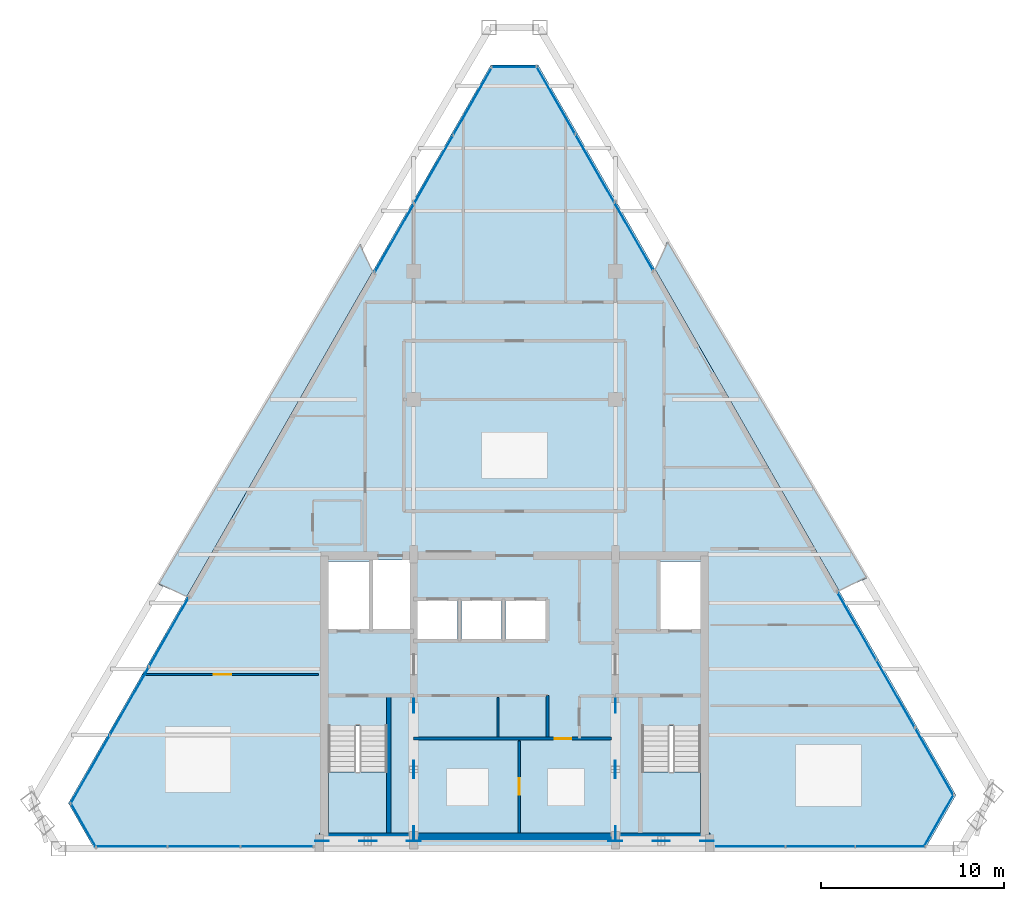
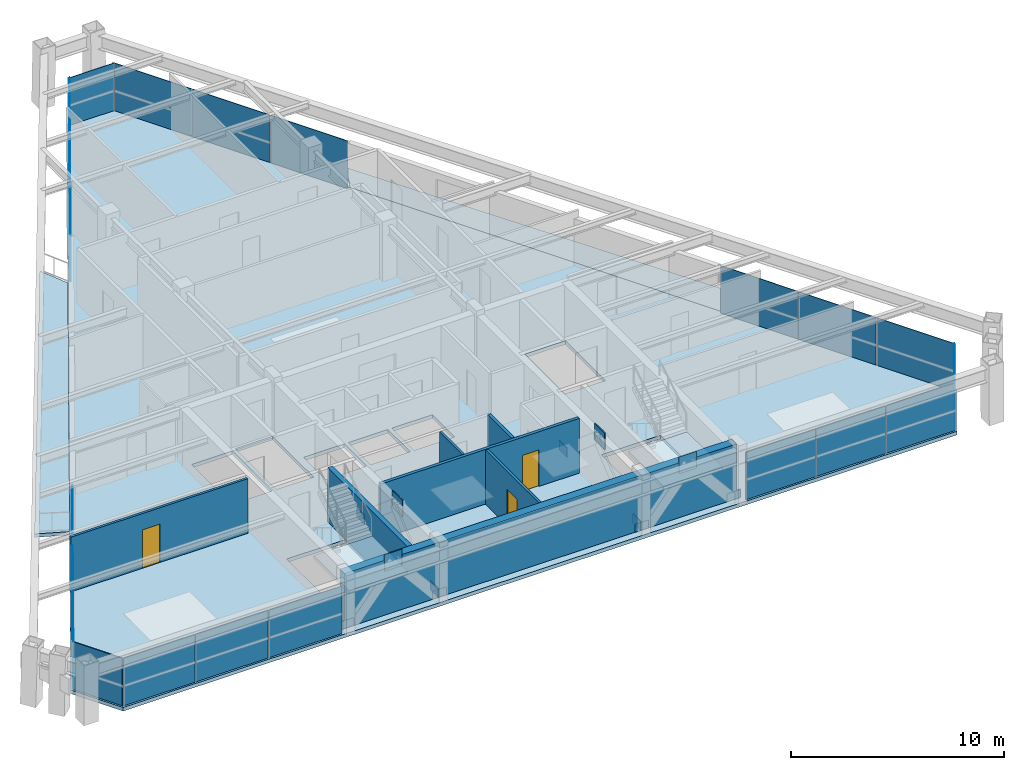
# One storey, part 8 of 13: 33 plates, 7 walls, 5 slabs, 3 doors, 3 openings, 11 elements without a shape of their own.
"""IFC4 building model written with IfcOpenShell, lengths in metres."""

from ifc_helpers import new_model, si_unit, direction, frame, frame_2d, origin, origin_2d, place, context, subcontext, project, spatial, polyline, rectangle, outline, extrude, source, transform, mapped, material, layer, layer_set, type_object, type_shapes, element, fill, aggregate, save


model = new_model("IFC4")

# Units and contexts
model_context = context("Model", 3, precision=1e-05, world=origin(), true_north=direction((0.0, 1.0)))
body_context = subcontext(model_context, "Body", "Model", "MODEL_VIEW")
ifc_project = project(units=[si_unit("LENGTHUNIT", "METRE"), si_unit("AREAUNIT", "SQUARE_METRE"), si_unit("VOLUMEUNIT", "CUBIC_METRE"), si_unit("PLANEANGLEUNIT", "RADIAN"), si_unit("MASSUNIT", "GRAM", prefix="KILO")], contexts=[model_context])

# Site, building, storey
site_placement = place(None, origin())
site = spatial("IfcSite", under=ifc_project, at=site_placement, CompositionType="ELEMENT")
building_placement = place(site_placement, origin())
building = spatial("IfcBuilding", under=site, at=building_placement, Name="Varnakhor Terracotta Tower", CompositionType="ELEMENT")
storey_placement = place(building_placement, frame((0.0, 0.0, 300.60009765625)))
storey = spatial("IfcBuildingStorey", under=building, at=storey_placement, Name="L79", CompositionType="ELEMENT", Elevation=300.60009765625)

# Slab
ifc_material_1 = material(Name="Concrete C40/50", Category="concrete")
ifc_layer_1 = layer(ifc_material_1, 0.2099609375, Name="Concrete C40/50")
ifc_layer_set_1 = layer_set([ifc_layer_1], Name="Concrete C40/50")
slab_type_1 = type_object("IfcSlabType", Name="SLB-HTL-210", PredefinedType="FLOOR", material=ifc_layer_set_1)
slab_1_placement = place(storey_placement, frame((0.0, 0.0, -0.210205078125)))
element("IfcSlab", 1, at=slab_1_placement, inside=storey, type_object=slab_type_1, Name="L79 Structural Floor Slab", PredefinedType="FLOOR", context=body_context, shape_type="SweptSolid", body=[
    extrude(outline(polyline([(-24.333740234375, 2.47509765625), (-1.28759765625, 42.75), (1.28759765625, 42.75), (24.076416015625, 2.925048828125), (22.402587890625, 0.0), (-22.91748046875, 0.0), (-24.333740234375, 2.47509765625)]), holes=[polyline([(-6.949951171875, 0.85009765625), (-6.949951171875, 6.695068359375), (-10.14990234375, 6.695068359375), (-10.14990234375, 0.85009765625), (-6.949951171875, 0.85009765625)]), polyline([(10.14990234375, 0.85009765625), (10.14990234375, 6.695068359375), (6.949951171875, 6.695068359375), (6.949951171875, 0.85009765625), (10.14990234375, 0.85009765625)]), polyline([(-3.10009765625, 11.419921875), (-3.10009765625, 13.52001953125), (-5.300048828125, 13.52001953125), (-5.300048828125, 11.419921875), (-3.10009765625, 11.419921875)]), polyline([(-0.719970703125, 11.419921875), (-0.719970703125, 13.52001953125), (-2.8798828125, 13.52001953125), (-2.8798828125, 11.419921875), (-0.719970703125, 11.419921875)]), polyline([(1.699951171875, 11.419921875), (1.699951171875, 13.52001953125), (-0.5, 13.52001953125), (-0.5, 11.419921875), (1.699951171875, 11.419921875)]), polyline([(-7.949951171875, 11.8798828125), (-7.949951171875, 15.64990234375), (-10.14990234375, 15.64990234375), (-10.14990234375, 11.8798828125), (-7.949951171875, 11.8798828125)]), polyline([(10.14990234375, 11.8798828125), (10.14990234375, 15.64990234375), (7.949951171875, 15.64990234375), (7.949951171875, 11.8798828125), (10.14990234375, 11.8798828125)]), polyline([(-5.699951171875, 11.8798828125), (-5.699951171875, 15.75), (-7.72998046875, 15.75), (-7.72998046875, 11.8798828125), (-5.699951171875, 11.8798828125)])]), origin(), (0.0, 0.0, 1.0), 0.210205078125),
])

# Stair, slab
stair_type = type_object("IfcStairType", Name="STR-CORE-HOTEL-1500", PredefinedType="HALF_TURN_STAIR", material=ifc_material_1)
stair_1_placement = place(storey_placement, origin())
stair_1 = element("IfcStair", 2, at=stair_1_placement, inside=storey, type_object=stair_type, Name="L79 Core Exit Stair ST-1", PredefinedType="HALF_TURN_STAIR")
ifc_layer_2 = layer(ifc_material_1, 0.179931640625, Name="Concrete C40/50")
ifc_layer_set_2 = layer_set([ifc_layer_2], Name="Concrete C40/50")
slab_type_2 = type_object("IfcSlabType", Name="SLB-LANDING-180", PredefinedType="LANDING", material=ifc_layer_set_2)
slab_2_placement = place(storey_placement, frame((0.0, 0.0, 1.52490234375)))
slab_2 = element("IfcSlab", 3, at=slab_2_placement, type_object=slab_type_2, Name="ST-1 landing 1", PredefinedType="LANDING", context=body_context, shape_type="SweptSolid", body=[
    extrude(outline(polyline([(-10.14990234375, 4.18994140625), (-10.14990234375, 0.85009765625), (-6.949951171875, 0.85009765625), (-6.949951171875, 4.18994140625), (-10.14990234375, 4.18994140625)])), origin(), (0.0, 0.0, 1.0), 0.199951171875),
])
aggregate(stair_1, [slab_2])

stair_2_placement = place(storey_placement, origin())
stair_2 = element("IfcStair", 4, at=stair_2_placement, inside=storey, type_object=stair_type, Name="L79 Core Exit Stair ST-2", PredefinedType="HALF_TURN_STAIR")
slab_3_placement = place(storey_placement, frame((0.0, 0.0, 1.52490234375)))
slab_3 = element("IfcSlab", 5, at=slab_3_placement, type_object=slab_type_2, Name="ST-2 landing 1", PredefinedType="LANDING", context=body_context, shape_type="SweptSolid", body=[
    extrude(outline(polyline([(6.949951171875, 4.18994140625), (6.949951171875, 0.85009765625), (10.14990234375, 0.85009765625), (10.14990234375, 4.18994140625), (6.949951171875, 4.18994140625)])), origin(), (0.0, 0.0, 1.0), 0.199951171875),
])
aggregate(stair_2, [slab_3])

# Slabs
ifc_layer_3 = layer(ifc_material_1, 0.195068359375, Name="Concrete C40/50")
ifc_layer_set_3 = layer_set([ifc_layer_3], Name="Concrete C40/50")
slab_type_3 = type_object("IfcSlabType", Name="SLB-LOGGIA-EXT-195", PredefinedType="FLOOR", material=ifc_layer_set_3)
slab_4_placement = place(storey_placement, frame((0.0, 0.0, -0.195068359375)))
element("IfcSlab", 6, at=slab_4_placement, inside=storey, type_object=slab_type_3, Name="L79 E Recessed Outdoor Loggia Slab", PredefinedType="FLOOR", context=body_context, shape_type="SweptSolid", body=[
    extrude(outline(polyline([(8.323486328125, 33.108642578125), (19.207275390625, 14.74853515625), (17.6953125, 14.075927734375), (13.025634765625, 22.23681640625), (7.66845703125, 31.59912109375), (8.323486328125, 33.108642578125)])), origin(), (0.0, 0.0, 1.0), 0.195068359375),
])
slab_5_placement = place(storey_placement, frame((0.0, 0.0, -0.195068359375)))
element("IfcSlab", 7, at=slab_5_placement, inside=storey, type_object=slab_type_3, Name="L79 W Recessed Outdoor Loggia Slab", PredefinedType="FLOOR", context=body_context, shape_type="SweptSolid", body=[
    extrude(outline(polyline([(-19.408447265625, 14.408935546875), (-8.40185546875, 32.976806640625), (-7.740478515625, 31.472900390625), (-14.449462890625, 19.748779296875), (-17.880859375, 13.751953125), (-19.408447265625, 14.408935546875)])), origin(), (0.0, 0.0, 1.0), 0.195068359375),
])

# Plates
ifc_material_2 = material(Name="Steel S460", Category="steel")
ifc_layer_4 = layer(ifc_material_2, 0.050048828125, Name="Steel S460")
ifc_layer_set_4 = layer_set([ifc_layer_4], Name="Steel S460")
plate_type_1 = type_object("IfcPlateType", Name="PLT-GUSSET-50", PredefinedType="USERDEFINED", material=ifc_layer_set_4)
shared_shape_1 = source(origin(), body_context, "Body", "SweptSolid", [
    extrude(rectangle(XDim=0.75, YDim=0.0400390625, at=origin_2d()), origin(), (0.0, 0.0, 1.0), 0.550048828125),
])
type_shapes(plate_type_1, [shared_shape_1])
for number, where, z_axis, x_axis, name in (
    (8, (-10.5, 0.419921875, -0.09521484375), (0.0, 0.0, 1.0), (1.0, 0.0, 0.0), "L79 Core Brace Embed Plate CSWA"),
    (9, (-5.5, 0.419921875, -0.09521484375), (0.0, 0.0, 1.0), (1.0, 0.0, 0.0), "L79 Core Brace Embed Plate CSWB"),
    (10, (5.5, 0.419921875, -0.09521484375), (0.0, 0.0, 1.0), (1.0, 0.0, 0.0), "L79 Core Brace Embed Plate CSEA"),
    (11, (10.5, 0.419921875, -0.09521484375), (0.0, 0.0, 1.0), (1.0, 0.0, 0.0), "L79 Core Brace Embed Plate CSEB"),
    (12, (-5.5, 0.85009765625, -0.09521484375), (0.0, 0.0, 1.0), (0.0, 1.0, 0.0), "L79 Core Brace Embed Plate CWWA"),
    (13, (-5.5, 7.800048828125, -0.09521484375), (0.0, 0.0, 1.0), (0.0, 1.0, 0.0), "L79 Core Brace Embed Plate CWWB"),
    (14, (5.5, 0.85009765625, -0.09521484375), (0.0, 0.0, 1.0), (0.0, 1.0, 0.0), "L79 Core Brace Embed Plate CWEA"),
    (15, (5.5, 7.800048828125, -0.09521484375), (0.0, 0.0, 1.0), (0.0, 1.0, 0.0), "L79 Core Brace Embed Plate CWEB"),
):
    element("IfcPlate", number, at=place(storey_placement, frame(where, z_axis=z_axis, x_axis=x_axis)), inside=storey, type_object=plate_type_1, Name=name, ObjectType="GUSSET PLATE", PredefinedType="USERDEFINED", context=body_context, shape_type="MappedRepresentation", body=[
        mapped(shared_shape_1, transform((0.0, 0.0, 0.0), scale=1.0)),
    ])
shared_shape_2 = source(origin(), body_context, "Body", "SweptSolid", [
    extrude(rectangle(XDim=0.949951171875, YDim=0.044921875, at=origin_2d()), origin(), (0.0, 0.0, 1.0), 0.949951171875),
])
for number, where, z_axis, x_axis, name in (
    (16, (-8.0, 0.419921875, 2.52490234375), (0.0, 0.0, 1.0), (1.0, 0.0, 0.0), "L79 Core Brace Apex Gusset CSW"),
    (17, (8.0, 0.419921875, 2.52490234375), (0.0, 0.0, 1.0), (1.0, 0.0, 0.0), "L79 Core Brace Apex Gusset CSE"),
    (18, (-5.5, 4.324951171875, 2.52490234375), (0.0, 0.0, 1.0), (0.0, 1.0, 0.0), "L79 Core Brace Apex Gusset CWW"),
    (19, (5.5, 4.324951171875, 2.52490234375), (0.0, 0.0, 1.0), (0.0, 1.0, 0.0), "L79 Core Brace Apex Gusset CWE"),
):
    element("IfcPlate", number, at=place(storey_placement, frame(where, z_axis=z_axis, x_axis=x_axis)), inside=storey, type_object=plate_type_1, Name=name, ObjectType="GUSSET PLATE", PredefinedType="USERDEFINED", context=body_context, shape_type="MappedRepresentation", body=[
        mapped(shared_shape_2, transform((0.0, 0.0, 0.0), scale=1.0)),
    ])

# Curtain wall, plates
ifc_material_3 = material(Name="Anodised Aluminium Curtain Wall System", Category="aluminium")
curtain_wall_type = type_object("IfcCurtainWallType", Name="CW-SYS-HOTEL-LOGGIA", PredefinedType="NOTDEFINED", material=ifc_material_3)
curtain_wall_1_placement = place(storey_placement, origin())
curtain_wall_1 = element("IfcCurtainWall", 20, at=curtain_wall_1_placement, inside=storey, type_object=curtain_wall_type, Name="L79 W Facet Curtain Wall 1", PredefinedType="NOTDEFINED")
ifc_material_4 = material(Name="Solar-Control Low-E Insulated Glass Panel", Category="glass")
ifc_layer_5 = layer(ifc_material_4, 0.033935546875, Name="Solar-Control Low-E Insulated Glass Panel")
ifc_layer_set_5 = layer_set([ifc_layer_5], Name="Solar-Control Low-E Insulated Glass Panel")
plate_type_2 = type_object("IfcPlateType", Name="CWP-04", PredefinedType="CURTAIN_PANEL", material=ifc_layer_set_5)
shared_shape_3 = source(origin(), body_context, "Body", "SweptSolid", [
    extrude(rectangle(XDim=4.27099609375, YDim=0.035888671875, at=origin_2d()), origin(), (0.0, 0.0, 1.0), 2.72998046875),
])
plate_1_placement = place(storey_placement, frame((-23.144287109375, 4.312255859375, 0.0), z_axis=(0.0, 0.0, 1.0), x_axis=(0.496655875004, 0.867947545549, 0.0)))
plate_1 = element("IfcPlate", 21, at=plate_1_placement, type_object=plate_type_2, Name="L79 W Facet Curtain Wall 1 Glazed Panel 1", PredefinedType="CURTAIN_PANEL", context=body_context, shape_type="MappedRepresentation", body=[
    mapped(shared_shape_3, transform((0.0, 0.0, 0.0), scale=1.0)),
])
plate_2_placement = place(storey_placement, frame((-21.003173828125, 8.053955078125, 0.0), z_axis=(0.0, 0.0, 1.0), x_axis=(0.496655875004, 0.867947545549, 0.0)))
plate_2 = element("IfcPlate", 22, at=plate_2_placement, type_object=plate_type_2, Name="L79 W Facet Curtain Wall 1 Glazed Panel 2", PredefinedType="CURTAIN_PANEL", context=body_context, shape_type="MappedRepresentation", body=[
    mapped(shared_shape_3, transform((0.0, 0.0, 0.0), scale=1.0)),
])
plate_3_placement = place(storey_placement, frame((-18.862060546875, 11.79541015625, 0.0), z_axis=(0.0, 0.0, 1.0), x_axis=(0.496655875004, 0.867947545549, 0.0)))
plate_3 = element("IfcPlate", 23, at=plate_3_placement, type_object=plate_type_2, Name="L79 W Facet Curtain Wall 1 Glazed Panel 3", PredefinedType="CURTAIN_PANEL", context=body_context, shape_type="MappedRepresentation", body=[
    mapped(shared_shape_3, transform((0.0, 0.0, 0.0), scale=1.0)),
])
aggregate(curtain_wall_1, [plate_1, plate_2, plate_3])

curtain_wall_2_placement = place(storey_placement, origin())
curtain_wall_2 = element("IfcCurtainWall", 24, at=curtain_wall_2_placement, inside=storey, type_object=curtain_wall_type, Name="L79 W Facet Curtain Wall 2", PredefinedType="NOTDEFINED")
plate_4_placement = place(storey_placement, frame((-6.55078125, 33.310302734375, 0.0), z_axis=(0.0, 0.0, 1.0), x_axis=(0.496655875004, 0.867947545549, 0.0)))
plate_4 = element("IfcPlate", 25, at=plate_4_placement, type_object=plate_type_2, Name="L79 W Facet Curtain Wall 2 Glazed Panel 1", PredefinedType="CURTAIN_PANEL", context=body_context, shape_type="MappedRepresentation", body=[
    mapped(shared_shape_3, transform((0.0, 0.0, 0.0), scale=1.0)),
])
plate_5_placement = place(storey_placement, frame((-4.409912109375, 37.052001953125, 0.0), z_axis=(0.0, 0.0, 1.0), x_axis=(0.496655875004, 0.867947545549, 0.0)))
plate_5 = element("IfcPlate", 26, at=plate_5_placement, type_object=plate_type_2, Name="L79 W Facet Curtain Wall 2 Glazed Panel 2", PredefinedType="CURTAIN_PANEL", context=body_context, shape_type="MappedRepresentation", body=[
    mapped(shared_shape_3, transform((0.0, 0.0, 0.0), scale=1.0)),
])
plate_6_placement = place(storey_placement, frame((-2.268798828125, 40.79345703125, 0.0), z_axis=(0.0, 0.0, 1.0), x_axis=(0.496655875004, 0.867947545549, 0.0)))
plate_6 = element("IfcPlate", 27, at=plate_6_placement, type_object=plate_type_2, Name="L79 W Facet Curtain Wall 2 Glazed Panel 3", PredefinedType="CURTAIN_PANEL", context=body_context, shape_type="MappedRepresentation", body=[
    mapped(shared_shape_3, transform((0.0, 0.0, 0.0), scale=1.0)),
])
aggregate(curtain_wall_2, [plate_4, plate_5, plate_6])

# Curtain wall, plate
curtain_wall_3_placement = place(storey_placement, origin())
curtain_wall_3 = element("IfcCurtainWall", 28, at=curtain_wall_3_placement, inside=storey, type_object=curtain_wall_type, Name="L79 Facet Curtain Wall 2", PredefinedType="NOTDEFINED")
shared_shape_4 = source(origin(), body_context, "Body", "SweptSolid", [
    extrude(rectangle(XDim=2.47509765625, YDim=0.035888671875, at=origin_2d()), origin(), (0.0, 0.0, 1.0), 2.72998046875),
])
plate_7_placement = place(storey_placement, frame((0.0, 42.6298828125, 0.0), z_axis=(0.0, 0.0, 1.0), x_axis=(1.0, 0.0, 0.0)))
plate_7 = element("IfcPlate", 29, at=plate_7_placement, type_object=plate_type_2, Name="L79 Facet Curtain Wall 2 Glazed Panel 1", PredefinedType="CURTAIN_PANEL", context=body_context, shape_type="MappedRepresentation", body=[
    mapped(shared_shape_4, transform((0.0, 0.0, 0.0), scale=1.0)),
])
aggregate(curtain_wall_3, [plate_7])

# Curtain wall, plates
curtain_wall_4_placement = place(storey_placement, origin())
curtain_wall_4 = element("IfcCurtainWall", 30, at=curtain_wall_4_placement, inside=storey, type_object=curtain_wall_type, Name="L79 E Facet Curtain Wall 1", PredefinedType="NOTDEFINED")
shared_shape_5 = source(origin(), body_context, "Body", "SweptSolid", [
    extrude(rectangle(XDim=4.22265625, YDim=0.035888671875, at=origin_2d()), origin(), (0.0, 0.0, 1.0), 2.72998046875),
])
plate_8_placement = place(storey_placement, frame((2.2568359375, 40.814453125, 0.0), z_axis=(0.0, 0.0, 1.0), x_axis=(0.496655875004, -0.867947545549, 0.0)))
plate_8 = element("IfcPlate", 31, at=plate_8_placement, type_object=plate_type_2, Name="L79 E Facet Curtain Wall 1 Glazed Panel 1", PredefinedType="CURTAIN_PANEL", context=body_context, shape_type="MappedRepresentation", body=[
    mapped(shared_shape_5, transform((0.0, 0.0, 0.0), scale=1.0)),
])
plate_9_placement = place(storey_placement, frame((6.49072265625, 33.415283203125, 0.0), z_axis=(0.0, 0.0, 1.0), x_axis=(0.496655875004, -0.867947545549, 0.0)))
plate_9 = element("IfcPlate", 32, at=plate_9_placement, type_object=plate_type_2, Name="L79 E Facet Curtain Wall 1 Glazed Panel 3", PredefinedType="CURTAIN_PANEL", context=body_context, shape_type="MappedRepresentation", body=[
    mapped(shared_shape_5, transform((0.0, 0.0, 0.0), scale=1.0)),
])

curtain_wall_5_placement = place(storey_placement, origin())
curtain_wall_5 = element("IfcCurtainWall", 33, at=curtain_wall_5_placement, inside=storey, type_object=curtain_wall_type, Name="L79 E Facet Curtain Wall 2", PredefinedType="NOTDEFINED")
plate_10_placement = place(storey_placement, frame((18.664794921875, 12.140380859375, 0.0), z_axis=(0.0, 0.0, 1.0), x_axis=(0.496655875004, -0.867947545549, 0.0)))
plate_10 = element("IfcPlate", 34, at=plate_10_placement, type_object=plate_type_2, Name="L79 E Facet Curtain Wall 2 Glazed Panel 1", PredefinedType="CURTAIN_PANEL", context=body_context, shape_type="MappedRepresentation", body=[
    mapped(shared_shape_5, transform((0.0, 0.0, 0.0), scale=1.0)),
])
plate_11_placement = place(storey_placement, frame((22.898681640625, 4.7412109375, 0.0), z_axis=(0.0, 0.0, 1.0), x_axis=(0.496655875004, -0.867947545549, 0.0)))
plate_11 = element("IfcPlate", 35, at=plate_11_placement, type_object=plate_type_2, Name="L79 E Facet Curtain Wall 2 Glazed Panel 3", PredefinedType="CURTAIN_PANEL", context=body_context, shape_type="MappedRepresentation", body=[
    mapped(shared_shape_5, transform((0.0, 0.0, 0.0), scale=1.0)),
])

# Plate
shared_shape_6 = source(origin(), body_context, "Body", "SweptSolid", [
    extrude(rectangle(XDim=4.222412109375, YDim=0.035888671875, at=origin_2d()), origin(), (0.0, 0.0, 1.0), 2.72998046875),
])
plate_12_placement = place(storey_placement, frame((4.373779296875, 37.114990234375, 0.0), z_axis=(0.0, 0.0, 1.0), x_axis=(0.496655875004, -0.867947545549, 0.0)))
plate_12 = element("IfcPlate", 36, at=plate_12_placement, type_object=plate_type_2, Name="L79 E Facet Curtain Wall 1 Glazed Panel 2", PredefinedType="CURTAIN_PANEL", context=body_context, shape_type="MappedRepresentation", body=[
    mapped(shared_shape_6, transform((0.0, 0.0, 0.0), scale=1.0)),
])

aggregate(curtain_wall_4, [plate_8, plate_12, plate_9])

plate_13_placement = place(storey_placement, frame((20.78173828125, 8.44091796875, 0.0), z_axis=(0.0, 0.0, 1.0), x_axis=(0.496655875004, -0.867947545549, 0.0)))
plate_13 = element("IfcPlate", 37, at=plate_13_placement, type_object=plate_type_2, Name="L79 E Facet Curtain Wall 2 Glazed Panel 2", PredefinedType="CURTAIN_PANEL", context=body_context, shape_type="MappedRepresentation", body=[
    mapped(shared_shape_6, transform((0.0, 0.0, 0.0), scale=1.0)),
])

aggregate(curtain_wall_5, [plate_10, plate_13, plate_11])

# Curtain wall, plate
curtain_wall_6_placement = place(storey_placement, origin())
curtain_wall_6 = element("IfcCurtainWall", 38, at=curtain_wall_6_placement, inside=storey, type_object=curtain_wall_type, Name="L79 Facet Curtain Wall 4", PredefinedType="NOTDEFINED")
shared_shape_7 = source(origin(), body_context, "Body", "SweptSolid", [
    extrude(rectangle(XDim=3.27001953125, YDim=0.035888671875, at=origin_2d()), origin(), (0.0, 0.0, 1.0), 2.72998046875),
])
plate_14_placement = place(storey_placement, frame((23.13525390625, 1.522216796875, 0.0), z_axis=(0.0, 0.0, 1.0), x_axis=(-0.49667102347, -0.867938877136, 0.0)))
plate_14 = element("IfcPlate", 39, at=plate_14_placement, type_object=plate_type_2, Name="L79 Facet Curtain Wall 4 Glazed Panel 1", PredefinedType="CURTAIN_PANEL", context=body_context, shape_type="MappedRepresentation", body=[
    mapped(shared_shape_7, transform((0.0, 0.0, 0.0), scale=1.0)),
])
aggregate(curtain_wall_6, [plate_14])

# Curtain wall, plates
curtain_wall_7_placement = place(storey_placement, origin())
curtain_wall_7 = element("IfcCurtainWall", 40, at=curtain_wall_7_placement, inside=storey, type_object=curtain_wall_type, Name="L79 South Wing Curtain Wall SSE", PredefinedType="NOTDEFINED")
shared_shape_8 = source(origin(), body_context, "Body", "SweptSolid", [
    extrude(rectangle(XDim=3.767578125, YDim=0.035888671875, at=origin_2d()), origin(), (0.0, 0.0, 1.0), 2.72998046875),
])
plate_15_placement = place(storey_placement, frame((20.48876953125, 0.1201171875, 0.0), z_axis=(0.0, 0.0, 1.0), x_axis=(-1.0, 0.0, 0.0)))
plate_15 = element("IfcPlate", 41, at=plate_15_placement, type_object=plate_type_2, Name="L79 South Wing Curtain Wall SSE Glazed Panel 1", PredefinedType="CURTAIN_PANEL", context=body_context, shape_type="MappedRepresentation", body=[
    mapped(shared_shape_8, transform((0.0, 0.0, 0.0), scale=1.0)),
])
plate_16_placement = place(storey_placement, frame((16.68115234375, 0.1201171875, 0.0), z_axis=(0.0, 0.0, 1.0), x_axis=(-1.0, 0.0, 0.0)))
plate_16 = element("IfcPlate", 42, at=plate_16_placement, type_object=plate_type_2, Name="L79 South Wing Curtain Wall SSE Glazed Panel 2", PredefinedType="CURTAIN_PANEL", context=body_context, shape_type="MappedRepresentation", body=[
    mapped(shared_shape_8, transform((0.0, 0.0, 0.0), scale=1.0)),
])
plate_17_placement = place(storey_placement, frame((12.873779296875, 0.1201171875, 0.0), z_axis=(0.0, 0.0, 1.0), x_axis=(-1.0, 0.0, 0.0)))
plate_17 = element("IfcPlate", 43, at=plate_17_placement, type_object=plate_type_2, Name="L79 South Wing Curtain Wall SSE Glazed Panel 3", PredefinedType="CURTAIN_PANEL", context=body_context, shape_type="MappedRepresentation", body=[
    mapped(shared_shape_8, transform((0.0, 0.0, 0.0), scale=1.0)),
])
aggregate(curtain_wall_7, [plate_15, plate_16, plate_17])

curtain_wall_8_placement = place(storey_placement, origin())
curtain_wall_8 = element("IfcCurtainWall", 44, at=curtain_wall_8_placement, inside=storey, type_object=curtain_wall_type, Name="L79 South Wing Curtain Wall SSW", PredefinedType="NOTDEFINED")
shared_shape_9 = source(origin(), body_context, "Body", "SweptSolid", [
    extrude(rectangle(XDim=3.939208984375, YDim=0.035888671875, at=origin_2d()), origin(), (0.0, 0.0, 1.0), 2.72998046875),
])
plate_18_placement = place(storey_placement, frame((-12.959716796875, 0.1201171875, 0.0), z_axis=(0.0, 0.0, 1.0), x_axis=(-1.0, 0.0, 0.0)))
plate_18 = element("IfcPlate", 45, at=plate_18_placement, type_object=plate_type_2, Name="L79 South Wing Curtain Wall SSW Glazed Panel 1", PredefinedType="CURTAIN_PANEL", context=body_context, shape_type="MappedRepresentation", body=[
    mapped(shared_shape_9, transform((0.0, 0.0, 0.0), scale=1.0)),
])
plate_19_placement = place(storey_placement, frame((-16.938720703125, 0.1201171875, 0.0), z_axis=(0.0, 0.0, 1.0), x_axis=(-1.0, 0.0, 0.0)))
plate_19 = element("IfcPlate", 46, at=plate_19_placement, type_object=plate_type_2, Name="L79 South Wing Curtain Wall SSW Glazed Panel 2", PredefinedType="CURTAIN_PANEL", context=body_context, shape_type="MappedRepresentation", body=[
    mapped(shared_shape_9, transform((0.0, 0.0, 0.0), scale=1.0)),
])
plate_20_placement = place(storey_placement, frame((-20.91796875, 0.1201171875, 0.0), z_axis=(0.0, 0.0, 1.0), x_axis=(-1.0, 0.0, 0.0)))
plate_20 = element("IfcPlate", 47, at=plate_20_placement, type_object=plate_type_2, Name="L79 South Wing Curtain Wall SSW Glazed Panel 3", PredefinedType="CURTAIN_PANEL", context=body_context, shape_type="MappedRepresentation", body=[
    mapped(shared_shape_9, transform((0.0, 0.0, 0.0), scale=1.0)),
])
aggregate(curtain_wall_8, [plate_18, plate_19, plate_20])

# Curtain wall, plate
curtain_wall_9_placement = place(storey_placement, origin())
curtain_wall_9 = element("IfcCurtainWall", 48, at=curtain_wall_9_placement, inside=storey, type_object=curtain_wall_type, Name="L79 Facet Curtain Wall 6", PredefinedType="NOTDEFINED")
shared_shape_10 = source(origin(), body_context, "Body", "SweptSolid", [
    extrude(rectangle(XDim=2.751708984375, YDim=0.035888671875, at=origin_2d()), origin(), (0.0, 0.0, 1.0), 2.72998046875),
])
plate_21_placement = place(storey_placement, frame((-23.521484375, 1.297119140625, 0.0), z_axis=(0.0, 0.0, 1.0), x_axis=(-0.49667102347, 0.867938877136, 0.0)))
plate_21 = element("IfcPlate", 49, at=plate_21_placement, type_object=plate_type_2, Name="L79 Facet Curtain Wall 6 Glazed Panel 1", PredefinedType="CURTAIN_PANEL", context=body_context, shape_type="MappedRepresentation", body=[
    mapped(shared_shape_10, transform((0.0, 0.0, 0.0), scale=1.0)),
])
aggregate(curtain_wall_9, [plate_21])

# Wall
ifc_material_5 = material(Name="Concrete C50/60", Category="concrete")
ifc_layer_6 = layer(ifc_material_5, 0.449951171875, Name="Concrete C50/60")
ifc_layer_set_6 = layer_set([ifc_layer_6], Name="Concrete C50/60")
wall_type_1 = type_object("IfcWallType", Name="WAL-CORE-450", PredefinedType="SHEAR", material=ifc_layer_set_6)
wall_1_placement = place(storey_placement, frame((-10.64990234375, 0.625, 0.0), z_axis=(0.0, 0.0, 1.0), x_axis=(1.0, 0.0, 0.0)))
element("IfcWall", 50, at=wall_1_placement, inside=storey, type_object=wall_type_1, Name="L79 South Core Shear Wall", PredefinedType="SHEAR", context=body_context, shape_type="SweptSolid", body=[
    extrude(rectangle(XDim=21.2998046875, YDim=0.449951171875, at=frame_2d((10.64990234375, 0.0))), origin(), (0.0, 0.0, 1.0), 3.14990234375),
])

# Wall, opening, door
ifc_material_6 = material(Name="Acoustic Hotel Room Partition", Category="gypsum")
ifc_layer_7 = layer(ifc_material_6, 0.1298828125, Name="Acoustic Hotel Room Partition")
ifc_layer_set_7 = layer_set([ifc_layer_7], Name="Acoustic Hotel Room Partition")
wall_type_2 = type_object("IfcWallType", Name="WAL-PART-130", PredefinedType="PARTITIONING", material=ifc_layer_set_7)
wall_2_placement = place(storey_placement, frame((-20.302490234375, 9.5, 0.0), z_axis=(0.0, 0.0, 1.0), x_axis=(1.0, 0.0, 0.0)))
wall_2 = element("IfcWall", 51, at=wall_2_placement, inside=storey, type_object=wall_type_2, Name="L79 SW Key Split 1", PredefinedType="PARTITIONING", context=body_context, shape_type="SweptSolid", body=[
    extrude(rectangle(XDim=9.62255859375, YDim=0.1298828125, at=frame_2d((4.811279296875, 0.0))), origin(), (0.0, 0.0, 1.0), 3.141845703125),
])
opening_1_placement = place(wall_2_placement, frame((3.88916015625, 0.0, 0.0)))
opening_1 = element("IfcOpeningElement", 52, at=opening_1_placement, cuts=wall_2, Name="Opening DR-94", PredefinedType="OPENING", context=body_context, shape_type="SweptSolid", body=[
    extrude(rectangle(XDim=0.949951171875, YDim=2.199951171875, at=frame_2d((0.47509765625, 1.10009765625))), frame((0.0, 0.074951171875, 0.0), z_axis=(0.0, -1.0, 0.0), x_axis=(1.0, 0.0, 0.0)), (0.0, 0.0, 1.0), 0.14990234375),
])
ifc_material_7 = material(Name="Acoustic Glazed-Vision Timber Office Door", Category="wood")
door_type_1 = type_object("IfcDoorType", Name="DR-OFF-950X2200", OperationType="NOTDEFINED", PredefinedType="DOOR", material=ifc_material_7)
shared_shape_11 = source(origin(), body_context, "Body", "SweptSolid", [
    extrude(rectangle(XDim=0.949951171875, YDim=2.199951171875, at=frame_2d((0.47509765625, 1.10009765625))), frame((0.0, 0.02490234375, 0.0), z_axis=(0.0, -1.0, 0.0), x_axis=(1.0, 0.0, 0.0)), (0.0, 0.0, 1.0), 0.050048828125),
])
type_shapes(door_type_1, [shared_shape_11])
door_1_placement = place(opening_1_placement, origin())
door_1 = element("IfcDoor", 53, at=door_1_placement, inside=storey, type_object=door_type_1, Name="L79 SW Suite Connect Door 1", OperationType="SINGLE_SWING_RIGHT", OverallHeight=2.199951171875, OverallWidth=0.949951171875, PredefinedType="DOOR", context=body_context, shape_type="MappedRepresentation", body=[
    mapped(shared_shape_11, transform((0.0, 0.0, 0.0), scale=1.0)),
])
fill(opening_1, door_1)

# Walls
ifc_layer_8 = layer(ifc_material_1, 0.25, Name="Concrete C40/50")
ifc_layer_set_8 = layer_set([ifc_layer_8], Name="Concrete C40/50")
wall_type_3 = type_object("IfcWallType", Name="WAL-SHAFT-250", PredefinedType="SOLIDWALL", material=ifc_layer_set_8)
wall_3_placement = place(storey_placement, frame((-6.85009765625, 0.85009765625, 0.0), z_axis=(0.0, 0.0, 1.0), x_axis=(0.0, 1.0, 0.0)))
element("IfcWall", 54, at=wall_3_placement, inside=storey, type_object=wall_type_3, Name="L79 Stair ST-1 Bearing Shaft Wall", PredefinedType="SOLIDWALL", context=body_context, shape_type="SweptSolid", body=[
    extrude(rectangle(XDim=7.5, YDim=0.25, at=frame_2d((3.75, 0.0))), origin(), (0.0, 0.0, 1.0), 3.14990234375),
])
ifc_material_8 = material(Name="Acoustic Fire-Rated Partition", Category="gypsum")
ifc_layer_9 = layer(ifc_material_8, 0.114990234375, Name="Acoustic Fire-Rated Partition")
ifc_layer_set_9 = layer_set([ifc_layer_9], Name="Acoustic Fire-Rated Partition")
wall_type_4 = type_object("IfcWallType", Name="WAL-TENANCY-115", PredefinedType="PARTITIONING", material=ifc_layer_set_9)
wall_4_placement = place(storey_placement, frame((-0.89990234375, 6.10009765625, 0.0), z_axis=(0.0, 0.0, 1.0), x_axis=(0.0, 1.0, 0.0)))
element("IfcWall", 55, at=wall_4_placement, inside=storey, type_object=wall_type_4, Name="L79 Reclaimed Mid-Core Split Wall", PredefinedType="PARTITIONING", context=body_context, shape_type="SweptSolid", body=[
    extrude(rectangle(XDim=2.14990234375, YDim=0.114990234375, at=frame_2d((1.074951171875, 0.0))), origin(), (0.0, 0.0, 1.0), 3.141845703125),
])

# Wall, opening, door
ifc_layer_10 = layer(ifc_material_8, 0.139892578125, Name="Acoustic Fire-Rated Partition")
ifc_layer_set_10 = layer_set([ifc_layer_10], Name="Acoustic Fire-Rated Partition")
wall_type_5 = type_object("IfcWallType", Name="WAL-TENANCY-140", PredefinedType="PARTITIONING", material=ifc_layer_set_10)
wall_5_placement = place(storey_placement, frame((0.25, 0.85009765625, 0.0), z_axis=(0.0, 0.0, 1.0), x_axis=(0.0, 1.0, 0.0)))
wall_5 = element("IfcWall", 56, at=wall_5_placement, inside=storey, type_object=wall_type_5, Name="L79 Reclaimed Core Bay Split Wall", PredefinedType="PARTITIONING", context=body_context, shape_type="SweptSolid", body=[
    extrude(rectangle(XDim=5.02978515625, YDim=0.139892578125, at=frame_2d((2.514892578125, 0.0))), origin(), (0.0, 0.0, 1.0), 3.141845703125),
])
opening_2_placement = place(wall_5_placement, frame((2.10009765625, 0.0, 0.0)))
opening_2 = element("IfcOpeningElement", 57, at=opening_2_placement, cuts=wall_5, Name="Opening DR-67", PredefinedType="OPENING", context=body_context, shape_type="SweptSolid", body=[
    extrude(rectangle(XDim=0.89990234375, YDim=2.10009765625, at=frame_2d((0.449951171875, 1.050048828125))), frame((0.0, 0.080078125, 0.0), z_axis=(0.0, -1.0, 0.0), x_axis=(1.0, 0.0, 0.0)), (0.0, 0.0, 1.0), 0.159912109375),
])
ifc_material_9 = material(Name="Steel Service Riser Fire Door", Category="steel")
door_type_2 = type_object("IfcDoorType", Name="DR-RISER-900X2100", OperationType="NOTDEFINED", PredefinedType="DOOR", material=ifc_material_9)
shared_shape_12 = source(origin(), body_context, "Body", "SweptSolid", [
    extrude(rectangle(XDim=0.89990234375, YDim=2.10009765625, at=frame_2d((0.449951171875, 1.050048828125))), frame((0.0, 0.02490234375, 0.0), z_axis=(0.0, -1.0, 0.0), x_axis=(1.0, 0.0, 0.0)), (0.0, 0.0, 1.0), 0.050048828125),
])
type_shapes(door_type_2, [shared_shape_12])
door_2_placement = place(opening_2_placement, origin())
door_2 = element("IfcDoor", 58, at=door_2_placement, inside=storey, type_object=door_type_2, Name="L79 Core Inner Service Door", OperationType="SINGLE_SWING_LEFT", OverallHeight=2.10009765625, OverallWidth=0.89990234375, PredefinedType="DOOR", context=body_context, shape_type="MappedRepresentation", body=[
    mapped(shared_shape_12, transform((0.0, 0.0, 0.0), scale=1.0)),
])
fill(opening_2, door_2)

ifc_layer_11 = layer(ifc_material_8, 0.1650390625, Name="Acoustic Fire-Rated Partition")
ifc_layer_set_11 = layer_set([ifc_layer_11], Name="Acoustic Fire-Rated Partition")
wall_type_6 = type_object("IfcWallType", Name="WAL-TENANCY-165", PredefinedType="PARTITIONING", material=ifc_layer_set_11)
wall_6_placement = place(storey_placement, frame((-5.5, 6.0, 0.0), z_axis=(0.0, 0.0, 1.0), x_axis=(1.0, 0.0, 0.0)))
wall_6 = element("IfcWall", 59, at=wall_6_placement, inside=storey, type_object=wall_type_6, Name="L79 Reclaimed Core Bay North Rated Wall", PredefinedType="PARTITIONING", context=body_context, shape_type="SweptSolid", body=[
    extrude(rectangle(XDim=10.800048828125, YDim=0.1650390625, at=frame_2d((5.39990234375, 0.0))), origin(), (0.0, 0.0, 1.0), 3.141845703125),
])
opening_3_placement = place(wall_6_placement, frame((7.699951171875, 0.0, 0.0)))
opening_3 = element("IfcOpeningElement", 60, at=opening_3_placement, cuts=wall_6, Name="Opening DR-67", PredefinedType="OPENING", context=body_context, shape_type="SweptSolid", body=[
    extrude(rectangle(XDim=0.89990234375, YDim=2.10009765625, at=frame_2d((0.449951171875, 1.050048828125))), frame((0.0, 0.092529296875, 0.0), z_axis=(0.0, -1.0, 0.0), x_axis=(1.0, 0.0, 0.0)), (0.0, 0.0, 1.0), 0.18505859375),
])
door_3_placement = place(opening_3_placement, origin())
door_3 = element("IfcDoor", 61, at=door_3_placement, inside=storey, type_object=door_type_2, Name="L79 Core Reclaimed Suite Door", OperationType="SINGLE_SWING_RIGHT", OverallHeight=2.10009765625, OverallWidth=0.89990234375, PredefinedType="DOOR", context=body_context, shape_type="MappedRepresentation", body=[
    mapped(shared_shape_12, transform((0.0, 0.0, 0.0), scale=1.0)),
])
fill(opening_3, door_3)

# Wall
wall_7_placement = place(storey_placement, frame((1.800048828125, 6.10009765625, 0.0), z_axis=(0.0, 0.0, 1.0), x_axis=(0.0, 1.0, 0.0)))
element("IfcWall", 62, at=wall_7_placement, inside=storey, type_object=wall_type_6, Name="L79 Reclaimed Mid-Core East Wall", PredefinedType="PARTITIONING", context=body_context, shape_type="SweptSolid", body=[
    extrude(rectangle(XDim=2.25, YDim=0.1650390625, at=frame_2d((1.125, 0.0))), origin(), (0.0, 0.0, 1.0), 3.141845703125),
])

save(model, "model.ifc")
